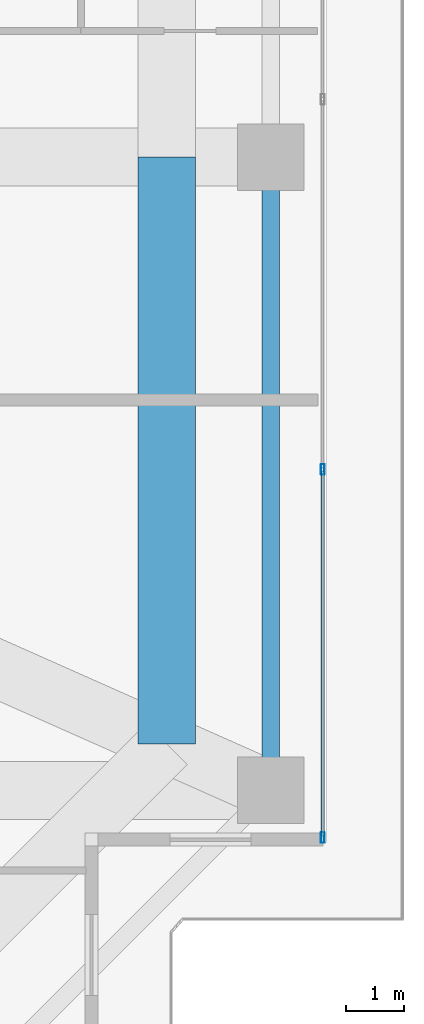
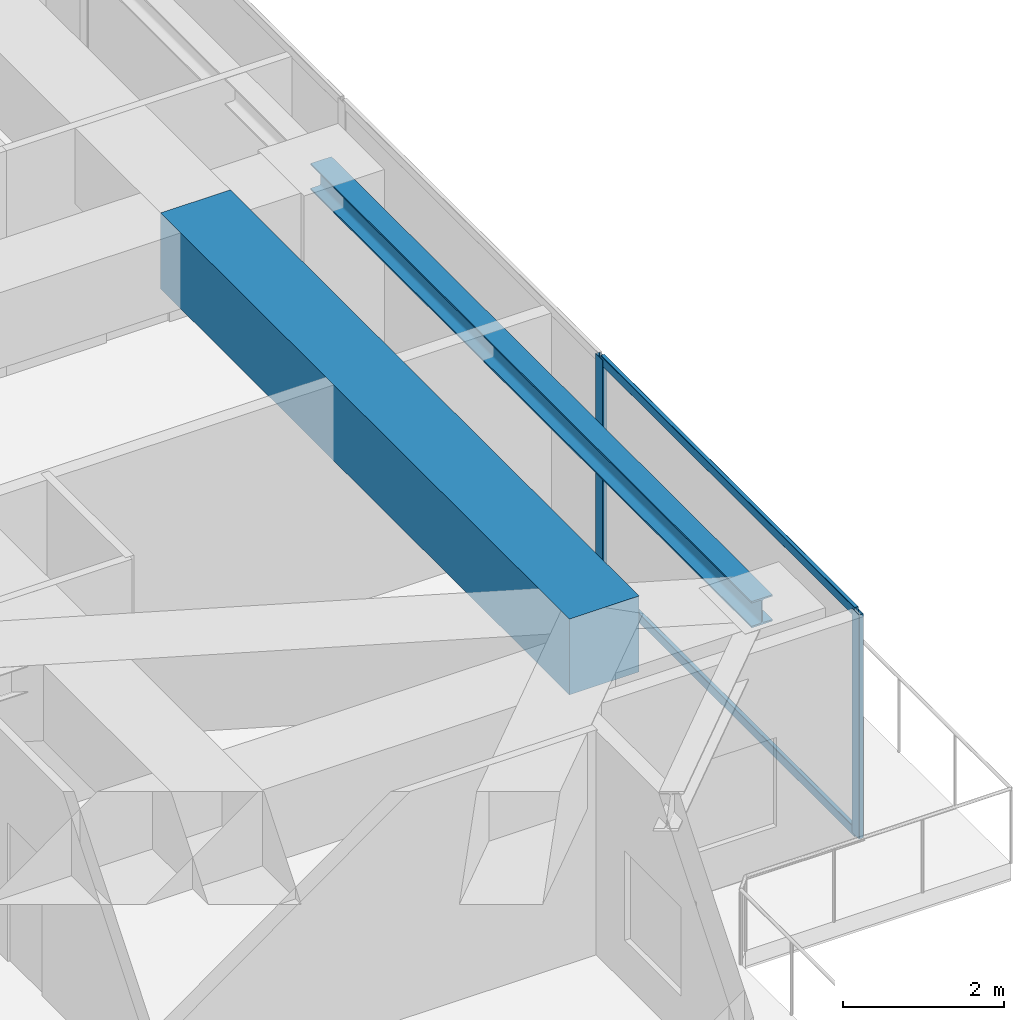
# One storey, part 17 of 39: 4 members, 2 beams, 1 element without a shape of its own.
"""IFC4 building model written with IfcOpenShell, lengths in metres."""

from ifc_helpers import new_model, si_unit, direction, frame, origin, origin_2d, place, context, subcontext, project, spatial, rectangle, hollow_rectangle, i_section, extrude, source, transform, mapped, material, layer, layer_set, material_profile, profile_set, type_object, element, aggregate, save


model = new_model("IFC4")

# Units and contexts
model_context = context("Model", 3, precision=1e-05, world=origin(), true_north=direction((0.0, 1.0)))
body_context = subcontext(model_context, "Body", "Model", "MODEL_VIEW")
ifc_project = project(units=[si_unit("LENGTHUNIT", "METRE"), si_unit("AREAUNIT", "SQUARE_METRE"), si_unit("VOLUMEUNIT", "CUBIC_METRE"), si_unit("PLANEANGLEUNIT", "RADIAN"), si_unit("MASSUNIT", "GRAM", prefix="KILO")], contexts=[model_context])

# Site, building, storey
site_placement = place(None, origin())
site = spatial("IfcSite", under=ifc_project, at=site_placement, CompositionType="ELEMENT")
building_placement = place(site_placement, origin())
building = spatial("IfcBuilding", under=site, at=building_placement, Name="Serunith Strait Residences", CompositionType="ELEMENT")
storey_placement = place(building_placement, frame((0.0, 0.0, 283.60009765625)))
storey = spatial("IfcBuildingStorey", under=building, at=storey_placement, Name="L71", CompositionType="ELEMENT", Elevation=283.60009765625)

# Beams
ifc_material_1 = material(Name="Steel S355J2", Category="steel")
ifc_material_profile_1 = material_profile(ifc_material_1, i_section(OverallWidth=0.300048828125, OverallDepth=0.39990234375, WebThickness=0.013427734375, FlangeThickness=0.02392578125, FilletRadius=0.027099609375, at=origin_2d()), Name="HEB 400")
ifc_profile_set_1 = profile_set([ifc_material_profile_1], Name="Steel S355J2")
beam_type_1 = type_object("IfcBeamType", Name="BM-HEB400", PredefinedType="BEAM", material=ifc_profile_set_1)
shared_shape_1 = source(origin(), body_context, "Body", "SweptSolid", [
    extrude(i_section(OverallWidth=0.300048828125, OverallDepth=0.39990234375, WebThickness=0.013427734375, FlangeThickness=0.02392578125, FilletRadius=0.027099609375, at=origin_2d()), origin(), (0.0, 0.0, 1.0), 10.949951171875),
])
beam_1_placement = place(storey_placement, frame((56.5, 10.050048828125, 3.206787109375), z_axis=(0.0, 1.0, 0.0), x_axis=(-1.0, 0.0, 0.0)))
element("IfcBeam", 1, at=beam_1_placement, inside=storey, type_object=beam_type_1, Name="L71 Perimeter Ring Beam 05", PredefinedType="BEAM", context=body_context, shape_type="MappedRepresentation", body=[
    mapped(shared_shape_1, transform((0.0, 0.0, 0.0), scale=1.0)),
])
ifc_material_2 = material(Name="Concrete C80/95", Category="concrete")
ifc_material_profile_2 = material_profile(ifc_material_2, rectangle(XDim=1.0, YDim=1.14990234375, at=origin_2d()), Name="RC 1000x1150")
ifc_profile_set_2 = profile_set([ifc_material_profile_2], Name="Concrete C80/95")
beam_type_2 = type_object("IfcBeamType", Name="BM-XFER-1000x1150", PredefinedType="BEAM", material=ifc_profile_set_2)
shared_shape_2 = source(origin(), body_context, "Body", "SweptSolid", [
    extrude(rectangle(XDim=1.0, YDim=1.14990234375, at=origin_2d()), origin(), (0.0, 0.0, 1.0), 10.14990234375),
])
beam_2_placement = place(storey_placement, frame((54.699951171875, 10.85009765625, 2.8349609375), z_axis=(0.0, 1.0, 0.0), x_axis=(-1.0, 0.0, 0.0)))
element("IfcBeam", 2, at=beam_2_placement, inside=storey, type_object=beam_type_2, Name="L71 Flare Upper Ring Transfer Girder 05", PredefinedType="BEAM", context=body_context, shape_type="MappedRepresentation", body=[
    mapped(shared_shape_2, transform((0.0, 0.0, 0.0), scale=1.0)),
])

# Curtain wall, members
ifc_material_3 = material(Name="Pale-Champagne Anodised Aluminium", Category="aluminium")
ifc_layer = layer(ifc_material_3, 0.199951171875, Name="Pale-Champagne Anodised Aluminium")
ifc_layer_set = layer_set([ifc_layer], Name="Pale-Champagne Anodised Aluminium")
curtain_wall_type = type_object("IfcCurtainWallType", Name="CW-SYS4", PredefinedType="NOTDEFINED", material=ifc_layer_set)
curtain_wall_placement = place(storey_placement, origin())
curtain_wall = element("IfcCurtainWall", 3, at=curtain_wall_placement, inside=storey, type_object=curtain_wall_type, Name="L71 E Unitised Fritted Curtain Wall", PredefinedType="NOTDEFINED")
ifc_material_profile_3 = material_profile(ifc_material_3, hollow_rectangle(XDim=0.06005859375, YDim=0.139892578125, WallThickness=0.00341796875, InnerFilletRadius=0.00537109375, OuterFilletRadius=0.0087890625, at=origin_2d()), Name="ALU 140x60x3.5")
ifc_profile_set_3 = profile_set([ifc_material_profile_3], Name="Pale-Champagne Anodised Aluminium")
member_type_1 = type_object("IfcMemberType", Name="CW-SYS4-TRAN", PredefinedType="USERDEFINED", material=ifc_profile_set_3)
shared_shape_3 = source(origin(), body_context, "Body", "SweptSolid", [
    extrude(hollow_rectangle(XDim=0.06005859375, YDim=0.139892578125, WallThickness=0.00341796875, InnerFilletRadius=0.00537109375, OuterFilletRadius=0.0087890625, at=origin_2d()), origin(), (0.0, 0.0, 1.0), 6.302490234375),
])
member_1_placement = place(storey_placement, frame((57.39990234375, 9.264892578125, 0.02978515625), z_axis=(0.0, 1.0, 0.0), x_axis=(-1.0, 0.0, 0.0)))
member_1 = element("IfcMember", 4, at=member_1_placement, type_object=member_type_1, Name="CW-4 transom 1.1", ObjectType="TRANSOM", PredefinedType="USERDEFINED", context=body_context, shape_type="MappedRepresentation", body=[
    mapped(shared_shape_3, transform((0.0, 0.0, 0.0), scale=1.0)),
])
member_2_placement = place(storey_placement, frame((57.39990234375, 9.264892578125, 3.364990234375), z_axis=(0.0, 1.0, 0.0), x_axis=(-1.0, 0.0, 0.0)))
member_2 = element("IfcMember", 5, at=member_2_placement, type_object=member_type_1, Name="CW-4 transom 1.2", ObjectType="TRANSOM", PredefinedType="USERDEFINED", context=body_context, shape_type="MappedRepresentation", body=[
    mapped(shared_shape_3, transform((0.0, 0.0, 0.0), scale=1.0)),
])
ifc_material_profile_4 = material_profile(ifc_material_3, hollow_rectangle(XDim=0.06494140625, YDim=0.179931640625, WallThickness=0.00341796875, InnerFilletRadius=0.00537109375, OuterFilletRadius=0.0087890625, at=origin_2d()), Name="ALU 180x65x3.5")
ifc_profile_set_4 = profile_set([ifc_material_profile_4], Name="Pale-Champagne Anodised Aluminium")
member_type_2 = type_object("IfcMemberType", Name="CW-SYS4-MULL", PredefinedType="MULLION", material=ifc_profile_set_4)
shared_shape_4 = source(origin(), body_context, "Body", "SweptSolid", [
    extrude(hollow_rectangle(XDim=0.06494140625, YDim=0.179931640625, WallThickness=0.00341796875, InnerFilletRadius=0.00537109375, OuterFilletRadius=0.0087890625, at=origin_2d()), origin(), (0.0, 0.0, 1.0), 3.39501953125),
])
member_3_placement = place(storey_placement, frame((57.39990234375, 9.232421875, 0.0), z_axis=(0.0, 0.0, 1.0), x_axis=(-1.0, 0.0, 0.0)))
member_3 = element("IfcMember", 6, at=member_3_placement, type_object=member_type_2, Name="CW-4 mullion 1", PredefinedType="MULLION", context=body_context, shape_type="MappedRepresentation", body=[
    mapped(shared_shape_4, transform((0.0, 0.0, 0.0), scale=1.0)),
])
member_4_placement = place(storey_placement, frame((57.39990234375, 15.60009765625, 0.0), z_axis=(0.0, 0.0, 1.0), x_axis=(-1.0, 0.0, 0.0)))
member_4 = element("IfcMember", 7, at=member_4_placement, type_object=member_type_2, Name="CW-4 mullion 2", PredefinedType="MULLION", context=body_context, shape_type="MappedRepresentation", body=[
    mapped(shared_shape_4, transform((0.0, 0.0, 0.0), scale=1.0)),
])
aggregate(curtain_wall, [member_3, member_4, member_1, member_2])

save(model, "model.ifc")
